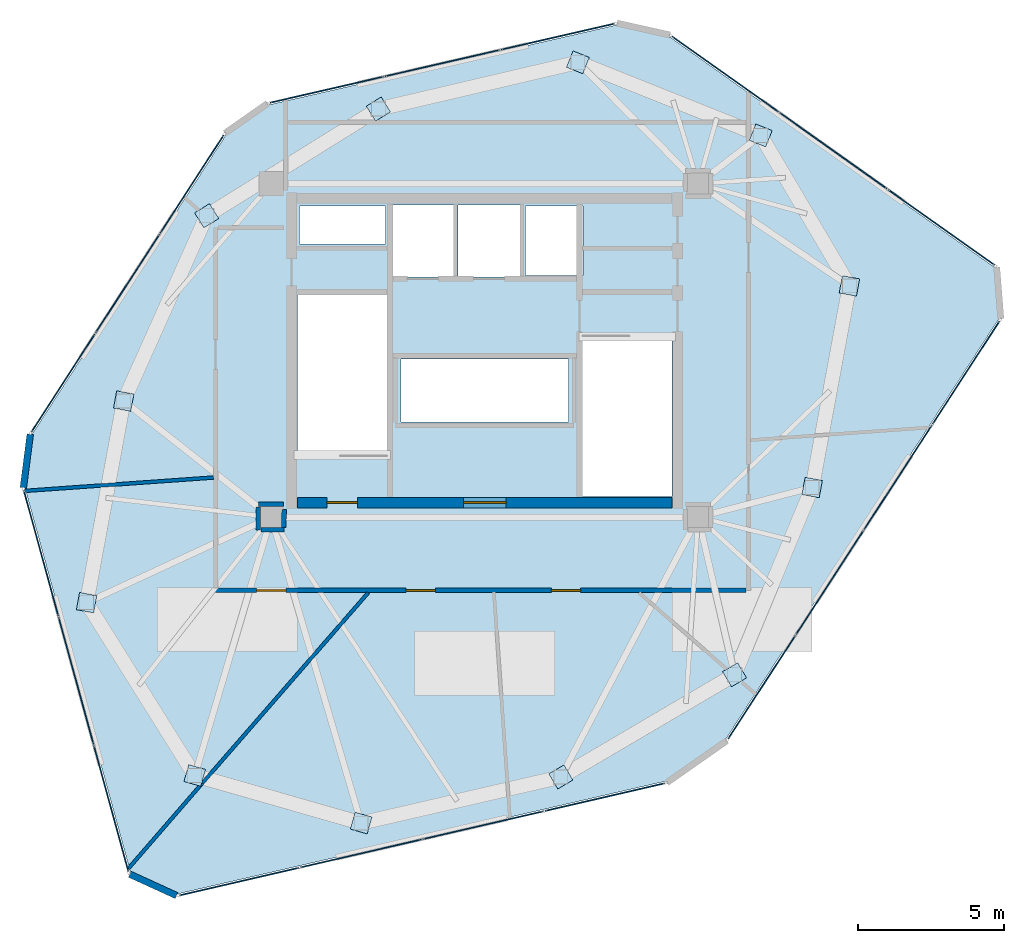
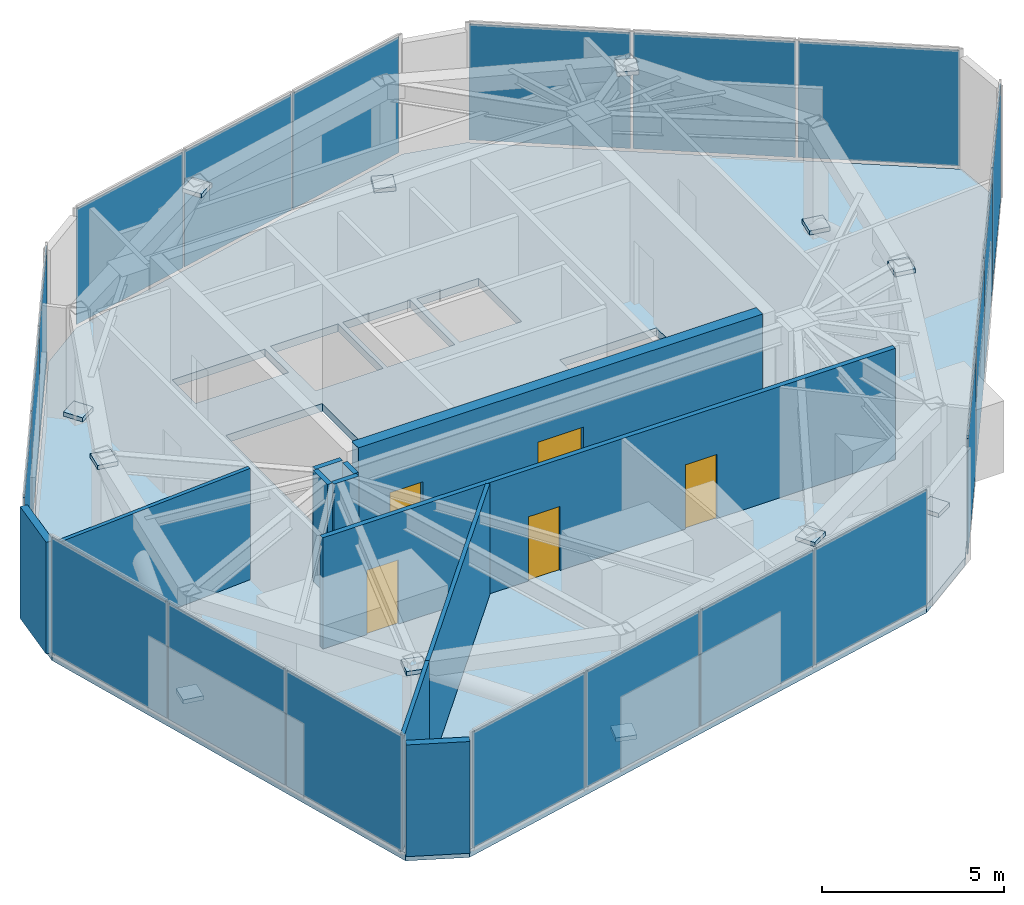
# One storey, part 17 of 20: 32 plates, 11 walls, 5 doors, 1 slab, 5 openings, 6 elements without a shape of their own.
"""IFC4 building model written with IfcOpenShell, lengths in metres."""

import ifcopenshell
import ifcopenshell.guid

model = None  # the IFC model being written
_history = None  # IfcOwnerHistory: only IFC2X3 demands one
_inside = {}  # id of a spatial element -> (the spatial element, [elements in it])
_under = {}  # id of a project, library or spatial element -> (it, [spatial elements below it])
_declared = {}  # id of a project -> (the project, [libraries it declares])
_typed = {}  # id of a type object -> (the type object, [elements of that type])
_made_of = {}  # id of a material, layer set ... -> (it, [elements and type objects made of it])


def new_model(schema):
    """Start an empty IFC model of exactly this schema.

    Asked for "IFC4X3", IfcOpenShell would pick the latest addendum, in which some entities
    have other attributes; the version numbers below select the first issue.
    IFC2X3 requires an IfcOwnerHistory on every rooted entity: one is made here for all.
    """
    global model, _history
    if schema == "IFC4X3":
        model = ifcopenshell.file(schema_version=(4, 3, 0, 0))
    else:
        model = ifcopenshell.file(schema=schema)
    _inside.clear()
    _under.clear()
    _declared.clear()
    _typed.clear()
    _made_of.clear()
    _history = None
    if model.schema == "IFC2X3":
        org = make("IfcOrganization", Name="unknown")
        user = make(
            "IfcPersonAndOrganization",
            ThePerson=make("IfcPerson", FamilyName="unknown"),
            TheOrganization=org,
        )
        app = make(
            "IfcApplication",
            ApplicationDeveloper=org,
            Version="unknown",
            ApplicationFullName="unknown",
            ApplicationIdentifier="unknown",
        )
        _history = make(
            "IfcOwnerHistory",
            OwningUser=user,
            OwningApplication=app,
            ChangeAction="ADDED",
            CreationDate=0,
        )
    return model


def make(cls, **values):
    """One entity of the class cls with the attributes given. An attribute that is None is left unset."""
    return model.create_entity(
        cls, **{name: value for name, value in values.items() if value is not None}
    )


def rooted(cls, **values):
    """An entity with a GlobalId (a new one), such as an element, a storey or a relation."""
    return make(cls, GlobalId=ifcopenshell.guid.new(), OwnerHistory=_history, **values)


def si_unit(unit_type, name, prefix=None):
    """IfcSIUnit, for example si_unit("LENGTHUNIT", "METRE", prefix="MILLI")."""
    return make("IfcSIUnit", UnitType=unit_type, Prefix=prefix, Name=name)


def assignment(units):
    """IfcUnitAssignment: the units of a project."""
    return None if units is None else make("IfcUnitAssignment", Units=units)


def point(xyz):
    """IfcCartesianPoint."""
    return None if xyz is None else make("IfcCartesianPoint", Coordinates=xyz)


def direction(xyz):
    """IfcDirection."""
    return None if xyz is None else make("IfcDirection", DirectionRatios=xyz)


def frame(location, z_axis=None, x_axis=None):
    """IfcAxis2Placement3D, a coordinate frame: its origin and axes. An axis left out is left unset."""
    return make(
        "IfcAxis2Placement3D",
        Location=point(location),
        Axis=direction(z_axis),
        RefDirection=direction(x_axis),
    )


def frame_2d(location, x_axis=None):
    """IfcAxis2Placement2D, a coordinate frame in the plane: its origin and x axis."""
    return make(
        "IfcAxis2Placement2D", Location=point(location), RefDirection=direction(x_axis)
    )


def origin():
    """The frame at (0, 0, 0) with its axes left unset."""
    return frame((0.0, 0.0, 0.0))


def origin_2d():
    """The frame at (0, 0) in the plane with its x axis left unset."""
    return frame_2d((0.0, 0.0))


def place(relative_to, where):
    """IfcLocalPlacement: puts the frame where relative to a parent placement (None: the world)."""
    return make(
        "IfcLocalPlacement", PlacementRelTo=relative_to, RelativePlacement=where
    )


def context(
    kind, dimensions, precision=None, world=None, true_north=None, identifier=None
):
    """IfcGeometricRepresentationContext, for example the 3D "Model" context."""
    return make(
        "IfcGeometricRepresentationContext",
        ContextIdentifier=identifier,
        ContextType=kind,
        CoordinateSpaceDimension=dimensions,
        Precision=precision,
        WorldCoordinateSystem=world,
        TrueNorth=true_north,
    )


def subcontext(parent, identifier, kind, view, scale=None):
    """IfcGeometricRepresentationSubContext, for example "Body" below "Model"."""
    return make(
        "IfcGeometricRepresentationSubContext",
        ContextIdentifier=identifier,
        ContextType=kind,
        ParentContext=parent,
        TargetScale=scale,
        TargetView=view,
    )


def project(units=None, contexts=None):
    """IfcProject with its units and contexts."""
    return rooted(
        "IfcProject",
        Name="project",
        RepresentationContexts=contexts,
        UnitsInContext=assignment(units),
    )


def spatial(cls, under=None, at=None, **own):
    """A site, building, storey or space (cls), placed at a placement, below another one or the project."""
    s = rooted(cls, ObjectPlacement=at, **own)
    if under is not None:
        _under.setdefault(under.id(), (under, []))[1].append(s)
    return s


def polyline(points):
    """IfcPolyline through the points."""
    return make("IfcPolyline", Points=[point(p) for p in points])


def profile(cls, at=None, kind="AREA", **sizes):
    """A parametric profile (cls). Its sizes go by their IFC names, for example OverallWidth=200.0."""
    return make(cls, ProfileType=kind, Position=at, **sizes)


def rectangle(**sizes):
    """IfcRectangleProfileDef."""
    return profile("IfcRectangleProfileDef", **sizes)


def outline(outer, holes=None, kind="AREA"):
    """IfcArbitraryClosedProfileDef: a profile drawn as a closed curve; with holes, ...WithVoids."""
    if holes is None:
        return make("IfcArbitraryClosedProfileDef", ProfileType=kind, OuterCurve=outer)
    return make(
        "IfcArbitraryProfileDefWithVoids",
        ProfileType=kind,
        OuterCurve=outer,
        InnerCurves=holes,
    )


def extrude(swept, where, along, depth):
    """IfcExtrudedAreaSolid: the profile swept, set in the frame where, extruded along a direction by depth."""
    return make(
        "IfcExtrudedAreaSolid",
        SweptArea=swept,
        Position=where,
        ExtrudedDirection=direction(along),
        Depth=depth,
    )


def shape(context_of_items, identifier, shape_type, items):
    """IfcShapeRepresentation: the items that make up one representation, for example the "Body"."""
    return make(
        "IfcShapeRepresentation",
        ContextOfItems=context_of_items,
        RepresentationIdentifier=identifier,
        RepresentationType=shape_type,
        Items=items,
    )


def source(mapping_origin, context_of_items, identifier, shape_type, items):
    """IfcRepresentationMap: a shape defined once, which mapped items show again and again."""
    return make(
        "IfcRepresentationMap",
        MappingOrigin=mapping_origin,
        MappedRepresentation=shape(context_of_items, identifier, shape_type, items),
    )


def transform(
    local_origin,
    x_axis=None,
    y_axis=None,
    z_axis=None,
    scale=None,
    scale2=None,
    scale3=None,
    uniform=True,
):
    """IfcCartesianTransformationOperator3D, or its non-uniform kind. x_axis, y_axis, z_axis: its Axis1, 2, 3."""
    if uniform:
        return make(
            "IfcCartesianTransformationOperator3D",
            Axis1=direction(x_axis),
            Axis2=direction(y_axis),
            LocalOrigin=point(local_origin),
            Scale=scale,
            Axis3=direction(z_axis),
        )
    return make(
        "IfcCartesianTransformationOperator3DnonUniform",
        Axis1=direction(x_axis),
        Axis2=direction(y_axis),
        LocalOrigin=point(local_origin),
        Scale=scale,
        Axis3=direction(z_axis),
        Scale2=scale2,
        Scale3=scale3,
    )


def mapped(mapping_source, mapping_target):
    """IfcMappedItem: shows the shape of a source again, moved by a transform."""
    return make(
        "IfcMappedItem", MappingSource=mapping_source, MappingTarget=mapping_target
    )


def material(Name=None, Category=None):
    """IfcMaterial."""
    return make("IfcMaterial", Name=Name, Category=Category)


def layer(
    of_material, thickness, ventilated=None, Name=None, Category=None, Priority=None
):
    """IfcMaterialLayer: one layer of a wall or slab, of a material (None: an air gap)."""
    return make(
        "IfcMaterialLayer",
        Material=of_material,
        LayerThickness=thickness,
        IsVentilated=ventilated,
        Name=Name,
        Category=Category,
        Priority=Priority,
    )


def layer_set(layers, Name=None):
    """IfcMaterialLayerSet."""
    return make("IfcMaterialLayerSet", MaterialLayers=layers, LayerSetName=Name)


def made_of(thing, what):
    """Note that an element or type object is made of a material, layer set ...; save() writes the relation."""
    if what is not None:
        _made_of.setdefault(what.id(), (what, []))[1].append(thing)
    return thing


def type_object(cls, material=None, **own):
    """A type object (cls), such as IfcWallType, which elements share."""
    return made_of(rooted(cls, **own), material)


def type_shapes(of_type, sources):
    """Give a type object the sources (RepresentationMaps) that its elements show as mapped items."""
    of_type.RepresentationMaps = sources


def element(
    cls,
    number,
    at=None,
    inside=None,
    cuts=None,
    type_object=None,
    material=None,
    context=None,
    identifier="Body",
    shape_type=None,
    held_by="IfcProductDefinitionShape",
    body=None,
    shapes=None,
    **own,
):
    """One element of the class cls, such as IfcWall. Its Tag is "e" and its number.

    at: its placement. inside: the storey or other place that contains it. cuts: it is an
    opening in that element (IfcRelVoidsElement). A single representation is given by context,
    identifier, shape_type and body (its items); several are given by shapes. held_by: the class
    of the entity that holds the representations. save() writes the other relations.
    """
    e = rooted(cls, Tag="e%d" % number, ObjectPlacement=at, **own)
    if body is not None:
        shapes = [shape(context, identifier, shape_type, body)]
    if shapes is not None:
        e.Representation = make(held_by, Representations=shapes)
    if inside is not None:
        _inside.setdefault(inside.id(), (inside, []))[1].append(e)
    if cuts is not None:
        rooted(
            "IfcRelVoidsElement", RelatingBuildingElement=cuts, RelatedOpeningElement=e
        )
    if type_object is not None:
        _typed.setdefault(type_object.id(), (type_object, []))[1].append(e)
    return made_of(e, material)


def fill(opening, filler):
    """IfcRelFillsElement: the door or window that sits in an opening."""
    return rooted(
        "IfcRelFillsElement",
        RelatingOpeningElement=opening,
        RelatedBuildingElement=filler,
    )


def aggregate(whole, parts):
    """IfcRelAggregates: a whole, such as a stair, and the parts it consists of."""
    return rooted("IfcRelAggregates", RelatingObject=whole, RelatedObjects=parts)


def save(model, path):
    """Write the relations noted so far, then the file.

    IfcRelAggregates (storeys below a building ...), IfcRelContainedInSpatialStructure (elements
    in a storey), IfcRelDefinesByType, IfcRelAssociatesMaterial and IfcRelDeclares: one each for
    every whole, place, type object, material and project.
    """
    for whole, parts in _under.values():
        aggregate(whole, parts)
    for where, things in _inside.values():
        rooted(
            "IfcRelContainedInSpatialStructure",
            RelatedElements=things,
            RelatingStructure=where,
        )
    for kind, things in _typed.values():
        rooted("IfcRelDefinesByType", RelatedObjects=things, RelatingType=kind)
    for what, things in _made_of.values():
        rooted("IfcRelAssociatesMaterial", RelatedObjects=things, RelatingMaterial=what)
    for by, libraries in _declared.values():
        rooted("IfcRelDeclares", RelatingContext=by, RelatedDefinitions=libraries)
    model.write(path)


model = new_model("IFC4")

# Units and contexts
model_context = context("Model", 3, precision=1e-05, world=origin(), true_north=direction((0.0, 1.0)))
body_context = subcontext(model_context, "Body", "Model", "MODEL_VIEW")
ifc_project = project(units=[si_unit("LENGTHUNIT", "METRE"), si_unit("AREAUNIT", "SQUARE_METRE"), si_unit("VOLUMEUNIT", "CUBIC_METRE"), si_unit("PLANEANGLEUNIT", "RADIAN"), si_unit("MASSUNIT", "GRAM", prefix="KILO")], contexts=[model_context])

# Site, building, storey
site_placement = place(None, origin())
site = spatial("IfcSite", under=ifc_project, at=site_placement, CompositionType="ELEMENT")
building_placement = place(site_placement, origin())
building = spatial("IfcBuilding", under=site, at=building_placement, Name="Talar Marvaseh", CompositionType="ELEMENT")
storey_placement = place(building_placement, frame((0.0, 0.0, 312.0)))
storey = spatial("IfcBuildingStorey", under=building, at=storey_placement, Name="L83", CompositionType="ELEMENT", Elevation=312.0)

# Slab
ifc_material_1 = material(Name="Concrete C40/50", Category="concrete")
ifc_layer_1 = layer(ifc_material_1, 0.260009765625)
ifc_layer_set_1 = layer_set([ifc_layer_1], Name="Concrete C40/50")
slab_type = type_object("IfcSlabType", Name="Structural Suspended Floor Slab 260", PredefinedType="FLOOR", material=ifc_layer_set_1)
slab_placement = place(storey_placement, frame((0.0, 0.0, -0.260009765625)))
element("IfcSlab", 1, at=slab_placement, inside=storey, type_object=slab_type, Name="L83 Tower Floor Slab", PredefinedType="FLOOR", context=body_context, shape_type="SweptSolid", body=[
    extrude(outline(polyline([(15.48974609375, 12.6123046875), (13.890869140625, 13.343505859375), (10.282470703125, 26.491943359375), (10.520751953125, 28.3330078125), (17.156494140625, 38.57763671875), (18.614990234375, 39.59912109375), (30.511474609375, 42.33056640625), (32.322998046875, 41.9248046875), (43.4443359375, 34.037109375), (43.584716796875, 32.28466796875), (34.244384765625, 17.906982421875), (32.194580078125, 16.4716796875), (15.48974609375, 12.6123046875)]), holes=[polyline([(22.659912109375, 27.64990234375), (22.659912109375, 33.10009765625), (19.60009765625, 33.10009765625), (19.60009765625, 27.64990234375), (22.659912109375, 27.64990234375)]), polyline([(29.340087890625, 31.64990234375), (29.340087890625, 26.199951171875), (32.39990234375, 26.199951171875), (32.39990234375, 31.64990234375), (29.340087890625, 31.64990234375)]), polyline([(22.800048828125, 33.719970703125), (24.93994140625, 33.719970703125), (24.93994140625, 36.179931640625), (22.800048828125, 36.179931640625), (22.800048828125, 33.719970703125)]), polyline([(25.080078125, 33.719970703125), (27.219970703125, 33.719970703125), (27.219970703125, 36.179931640625), (25.080078125, 36.179931640625), (25.080078125, 33.719970703125)]), polyline([(19.659912109375, 34.840087890625), (22.60009765625, 34.840087890625), (22.60009765625, 36.139892578125), (19.659912109375, 36.139892578125), (19.659912109375, 34.840087890625)]), polyline([(27.39990234375, 33.760009765625), (29.360107421875, 33.760009765625), (29.360107421875, 36.139892578125), (27.39990234375, 36.139892578125), (27.39990234375, 33.760009765625)]), polyline([(23.139892578125, 28.760009765625), (28.860107421875, 28.760009765625), (28.860107421875, 30.89990234375), (23.139892578125, 30.89990234375), (23.139892578125, 28.760009765625)])]), origin(), (0.0, 0.0, 1.0), 0.260009765625),
])

# Plates
ifc_material_2 = material(Name="Steel S460", Category="steel")
ifc_layer_2 = layer(ifc_material_2, 0.030029296875)
ifc_layer_set_2 = layer_set([ifc_layer_2], Name="Steel S460")
plate_type_1 = type_object("IfcPlateType", Name="Heavy Box End Closure Cap Plate 30", PredefinedType="USERDEFINED", material=ifc_layer_set_2)
shared_shape_1 = source(origin(), body_context, "Body", "SweptSolid", [
    extrude(rectangle(XDim=0.60009765625, YDim=0.60009765625, at=origin_2d()), origin(), (0.0, 0.0, 1.0), 0.139892578125),
])
type_shapes(plate_type_1, [shared_shape_1])
for number, where, z_axis, x_axis, name in (
    (2, (12.388916015625, 22.576904296875, 0.18017578125), (0.0, 0.0, 1.0), (0.180519145251, 0.983571470813, 0.0), "L83 Hollow Member End Cap Plate"),
    (3, (13.657958984375, 29.469970703125, 3.4052734375), (0.0, 0.0, 1.0), (0.180519145251, 0.983571470813, 0.0), "L83 Hollow Member End Cap Plate"),
    (4, (16.493896484375, 35.806884765625, 0.18017578125), (0.0, 0.0, 1.0), (0.849892692987, 0.526955795497, 0.0), "L83 Hollow Member End Cap Plate"),
    (5, (22.364990234375, 39.4541015625, 3.4052734375), (0.0, 0.0, 1.0), (0.849892692987, 0.526955795497, 0.0), "L83 Hollow Member End Cap Plate"),
    (6, (29.18798828125, 41.052001953125, 0.18017578125), (0.0, 0.0, 1.0), (0.928485826881, -0.37136783555, 0.0), "L83 Hollow Member End Cap Plate"),
    (7, (35.43798828125, 38.551025390625, 3.4052734375), (0.0, 0.0, 1.0), (0.928485826881, -0.37136783555, 0.0), "L83 Hollow Member End Cap Plate"),
    (8, (38.470947265625, 33.406005859375, 0.18017578125), (0.0, 0.0, 1.0), (-0.182235525492, -0.983254907564, 0.0), "L83 Hollow Member End Cap Plate"),
    (9, (37.197021484375, 26.513916015625, 3.4052734375), (0.0, 0.0, 1.0), (-0.182235525492, -0.983254907564, 0.0), "L83 Hollow Member End Cap Plate"),
    (10, (34.5439453125, 20.111083984375, 0.18017578125), (0.0, 0.0, 1.0), (-0.861629160442, -0.507538362961, 0.0), "L83 Hollow Member End Cap Plate"),
    (11, (28.60498046875, 16.616943359375, 3.4052734375), (0.0, 0.0, 1.0), (-0.861629160442, -0.507538362961, 0.0), "L83 Hollow Member End Cap Plate"),
    (12, (21.77587890625, 15.0400390625, 0.18017578125), (0.0, 0.0, 1.0), (-0.961261695938, 0.275637355817, 0.0), "L83 Hollow Member End Cap Plate"),
    (13, (16.0869140625, 16.66796875, 3.4052734375), (0.0, 0.0, 1.0), (-0.961261695938, 0.275637355817, 0.0), "L83 Hollow Member End Cap Plate"),
):
    element("IfcPlate", number, at=place(storey_placement, frame(where, z_axis=z_axis, x_axis=x_axis)), inside=storey, type_object=plate_type_1, Name=name, ObjectType="CAP_PLATE", PredefinedType="USERDEFINED", context=body_context, shape_type="MappedRepresentation", body=[
        mapped(shared_shape_1, transform((0.0, 0.0, 0.0), x_axis=(1.0, 0.0, 0.0), y_axis=(0.0, 1.0, 0.0), z_axis=(0.0, 0.0, 1.0), scale=1.0)),
    ])

# Curtain wall, plate
ifc_material_3 = material(Name="Architectural Aluminium", Category="aluminium")
ifc_layer_3 = layer(ifc_material_3, 0.2099609375)
ifc_layer_set_3 = layer_set([ifc_layer_3], Name="Architectural Aluminium")
curtain_wall_type = type_object("IfcCurtainWallType", Name="Crown Plant Acoustic Spandrel Curtain Wall", PredefinedType="NOTDEFINED", material=ifc_layer_set_3)
curtain_wall_1_placement = place(storey_placement, origin())
curtain_wall_1 = element("IfcCurtainWall", 14, at=curtain_wall_1_placement, inside=storey, type_object=curtain_wall_type, Name="L83 Crown Plant Acoustic Spandrel Curtain Wall", PredefinedType="NOTDEFINED")
ifc_material_4 = material(Name="Spandrel Insulated Glass", Category="glass")
ifc_layer_4 = layer(ifc_material_4, 0.035888671875)
ifc_layer_set_4 = layer_set([ifc_layer_4], Name="Spandrel Insulated Glass")
plate_type_2 = type_object("IfcPlateType", Name="Insulated Back-Painted Spandrel Curtain Panel 36", PredefinedType="CURTAIN_PANEL", material=ifc_layer_set_4)
shared_shape_2 = source(origin(), body_context, "Body", "SweptSolid", [
    extrude(rectangle(XDim=4.47998046875, YDim=0.035888671875, at=origin_2d()), origin(), (0.0, 0.0, 1.0), 3.8701171875),
])
plate_1_placement = place(storey_placement, frame((12.02880859375, 19.90185546875, 0.06494140625), z_axis=(0.0, 0.0, 1.0), x_axis=(-0.264649312974, 0.964344721115, 0.0)))
plate_1 = element("IfcPlate", 15, at=plate_1_placement, type_object=plate_type_2, Name="CW-CRN panel 2.1", PredefinedType="CURTAIN_PANEL", context=body_context, shape_type="MappedRepresentation", body=[
    mapped(shared_shape_2, transform((0.0, 0.0, 0.0), x_axis=(1.0, 0.0, 0.0), y_axis=(0.0, 1.0, 0.0), z_axis=(0.0, 0.0, 1.0), scale=1.0)),
])

curtain_wall_2_placement = place(storey_placement, origin())
curtain_wall_2 = element("IfcCurtainWall", 16, at=curtain_wall_2_placement, inside=storey, type_object=curtain_wall_type, Name="L83 Crown Plant Acoustic Spandrel Curtain Wall", PredefinedType="NOTDEFINED")
plate_2_placement = place(storey_placement, frame((37.91845703125, 38.02978515625, 0.06494140625), z_axis=(0.0, 0.0, 1.0), x_axis=(0.815673489833, -0.578512539176, 0.0)))
plate_2 = element("IfcPlate", 17, at=plate_2_placement, type_object=plate_type_2, Name="CW-CRN panel 2.1", PredefinedType="CURTAIN_PANEL", context=body_context, shape_type="MappedRepresentation", body=[
    mapped(shared_shape_2, transform((0.0, 0.0, 0.0), x_axis=(1.0, 0.0, 0.0), y_axis=(0.0, 1.0, 0.0), z_axis=(0.0, 0.0, 1.0), scale=1.0)),
])

# Curtain wall, plates
curtain_wall_3_placement = place(storey_placement, origin())
curtain_wall_3 = element("IfcCurtainWall", 18, at=curtain_wall_3_placement, inside=storey, type_object=curtain_wall_type, Name="L83 Crown Plant Acoustic Spandrel Curtain Wall", PredefinedType="NOTDEFINED")
shared_shape_3 = source(origin(), body_context, "Body", "SweptSolid", [
    extrude(rectangle(XDim=3.97119140625, YDim=0.035888671875, at=origin_2d()), origin(), (0.0, 0.0, 1.0), 3.8701171875),
])
plate_3_placement = place(storey_placement, frame((11.585205078125, 30.086669921875, 0.06494140625), z_axis=(0.0, 0.0, 1.0), x_axis=(0.543646288387, 0.839314430427, 0.0)))
plate_3 = element("IfcPlate", 19, at=plate_3_placement, type_object=plate_type_2, Name="CW-CRN panel 1.1", PredefinedType="CURTAIN_PANEL", context=body_context, shape_type="MappedRepresentation", body=[
    mapped(shared_shape_3, transform((0.0, 0.0, 0.0), x_axis=(1.0, 0.0, 0.0), y_axis=(0.0, 1.0, 0.0), z_axis=(0.0, 0.0, 1.0), scale=1.0)),
])
plate_4_placement = place(storey_placement, frame((15.9912109375, 36.88916015625, 0.06494140625), z_axis=(0.0, 0.0, 1.0), x_axis=(0.543646288387, 0.839314430427, 0.0)))
plate_4 = element("IfcPlate", 20, at=plate_4_placement, type_object=plate_type_2, Name="CW-CRN panel 3.1", PredefinedType="CURTAIN_PANEL", context=body_context, shape_type="MappedRepresentation", body=[
    mapped(shared_shape_3, transform((0.0, 0.0, 0.0), x_axis=(1.0, 0.0, 0.0), y_axis=(0.0, 1.0, 0.0), z_axis=(0.0, 0.0, 1.0), scale=1.0)),
])

curtain_wall_4_placement = place(storey_placement, origin())
curtain_wall_4 = element("IfcCurtainWall", 21, at=curtain_wall_4_placement, inside=storey, type_object=curtain_wall_type, Name="L83 Crown Plant Acoustic Spandrel Curtain Wall", PredefinedType="NOTDEFINED")
plate_5_placement = place(storey_placement, frame((20.60009765625, 40.116455078125, 0.06494140625), z_axis=(0.0, 0.0, 1.0), x_axis=(0.974636944465, 0.223791926761, 0.0)))
plate_5 = element("IfcPlate", 22, at=plate_5_placement, type_object=plate_type_2, Name="CW-CRN panel 1.1", PredefinedType="CURTAIN_PANEL", context=body_context, shape_type="MappedRepresentation", body=[
    mapped(shared_shape_3, transform((0.0, 0.0, 0.0), x_axis=(1.0, 0.0, 0.0), y_axis=(0.0, 1.0, 0.0), z_axis=(0.0, 0.0, 1.0), scale=1.0)),
])
plate_6_placement = place(storey_placement, frame((28.49951171875, 41.93017578125, 0.06494140625), z_axis=(0.0, 0.0, 1.0), x_axis=(0.974636944465, 0.223791926761, 0.0)))
plate_6 = element("IfcPlate", 23, at=plate_6_placement, type_object=plate_type_2, Name="CW-CRN panel 3.1", PredefinedType="CURTAIN_PANEL", context=body_context, shape_type="MappedRepresentation", body=[
    mapped(shared_shape_3, transform((0.0, 0.0, 0.0), x_axis=(1.0, 0.0, 0.0), y_axis=(0.0, 1.0, 0.0), z_axis=(0.0, 0.0, 1.0), scale=1.0)),
])

# Plate
shared_shape_4 = source(origin(), body_context, "Body", "SweptSolid", [
    extrude(rectangle(XDim=4.003662109375, YDim=0.035888671875, at=origin_2d()), origin(), (0.0, 0.0, 1.0), 3.8701171875),
])
plate_7_placement = place(storey_placement, frame((13.788330078125, 33.488037109375, 0.06494140625), z_axis=(0.0, 0.0, 1.0), x_axis=(0.543646288387, 0.839314430427, 0.0)))
plate_7 = element("IfcPlate", 24, at=plate_7_placement, type_object=plate_type_2, Name="CW-CRN panel 2.1", PredefinedType="CURTAIN_PANEL", context=body_context, shape_type="MappedRepresentation", body=[
    mapped(shared_shape_4, transform((0.0, 0.0, 0.0), x_axis=(1.0, 0.0, 0.0), y_axis=(0.0, 1.0, 0.0), z_axis=(0.0, 0.0, 1.0), scale=1.0)),
])

aggregate(curtain_wall_3, [plate_3, plate_7, plate_4])

plate_8_placement = place(storey_placement, frame((24.5498046875, 41.023193359375, 0.06494140625), z_axis=(0.0, 0.0, 1.0), x_axis=(0.974636944465, 0.223791926761, 0.0)))
plate_8 = element("IfcPlate", 25, at=plate_8_placement, type_object=plate_type_2, Name="CW-CRN panel 2.1", PredefinedType="CURTAIN_PANEL", context=body_context, shape_type="MappedRepresentation", body=[
    mapped(shared_shape_4, transform((0.0, 0.0, 0.0), x_axis=(1.0, 0.0, 0.0), y_axis=(0.0, 1.0, 0.0), z_axis=(0.0, 0.0, 1.0), scale=1.0)),
])

aggregate(curtain_wall_4, [plate_5, plate_8, plate_6])

# Curtain wall, plates
curtain_wall_5_placement = place(storey_placement, origin())
curtain_wall_5 = element("IfcCurtainWall", 26, at=curtain_wall_5_placement, inside=storey, type_object=curtain_wall_type, Name="L83 Crown Plant Acoustic Spandrel Curtain Wall", PredefinedType="NOTDEFINED")
shared_shape_5 = source(origin(), body_context, "Body", "SweptSolid", [
    extrude(rectangle(XDim=4.188720703125, YDim=0.035888671875, at=origin_2d()), origin(), (0.0, 0.0, 1.0), 3.8701171875),
])
plate_9_placement = place(storey_placement, frame((42.45849609375, 30.441162109375, 0.06494140625), z_axis=(0.0, 0.0, 1.0), x_axis=(-0.544769379387, -0.838585906919, 0.0)))
plate_9 = element("IfcPlate", 27, at=plate_9_placement, type_object=plate_type_2, Name="CW-CRN panel 1.1", PredefinedType="CURTAIN_PANEL", context=body_context, shape_type="MappedRepresentation", body=[
    mapped(shared_shape_5, transform((0.0, 0.0, 0.0), x_axis=(1.0, 0.0, 0.0), y_axis=(0.0, 1.0, 0.0), z_axis=(0.0, 0.0, 1.0), scale=1.0)),
])
plate_10_placement = place(storey_placement, frame((35.47119140625, 19.68505859375, 0.06494140625), z_axis=(0.0, 0.0, 1.0), x_axis=(-0.544769379387, -0.838585906919, 0.0)))
plate_10 = element("IfcPlate", 28, at=plate_10_placement, type_object=plate_type_2, Name="CW-CRN panel 4.1", PredefinedType="CURTAIN_PANEL", context=body_context, shape_type="MappedRepresentation", body=[
    mapped(shared_shape_5, transform((0.0, 0.0, 0.0), x_axis=(1.0, 0.0, 0.0), y_axis=(0.0, 1.0, 0.0), z_axis=(0.0, 0.0, 1.0), scale=1.0)),
])

curtain_wall_6_placement = place(storey_placement, origin())
curtain_wall_6 = element("IfcCurtainWall", 29, at=curtain_wall_6_placement, inside=storey, type_object=curtain_wall_type, Name="L83 Crown Plant Acoustic Spandrel Curtain Wall", PredefinedType="NOTDEFINED")
plate_11_placement = place(storey_placement, frame((30.104248046875, 15.927001953125, 0.06494140625), z_axis=(0.0, 0.0, 1.0), x_axis=(-0.974334936397, -0.225103157943, 0.0)))
plate_11 = element("IfcPlate", 30, at=plate_11_placement, type_object=plate_type_2, Name="CW-CRN panel 1.1", PredefinedType="CURTAIN_PANEL", context=body_context, shape_type="MappedRepresentation", body=[
    mapped(shared_shape_5, transform((0.0, 0.0, 0.0), x_axis=(1.0, 0.0, 0.0), y_axis=(0.0, 1.0, 0.0), z_axis=(0.0, 0.0, 1.0), scale=1.0)),
])
plate_12_placement = place(storey_placement, frame((17.607177734375, 13.039794921875, 0.06494140625), z_axis=(0.0, 0.0, 1.0), x_axis=(-0.974334936397, -0.225103157943, 0.0)))
plate_12 = element("IfcPlate", 31, at=plate_12_placement, type_object=plate_type_2, Name="CW-CRN panel 4.1", PredefinedType="CURTAIN_PANEL", context=body_context, shape_type="MappedRepresentation", body=[
    mapped(shared_shape_5, transform((0.0, 0.0, 0.0), x_axis=(1.0, 0.0, 0.0), y_axis=(0.0, 1.0, 0.0), z_axis=(0.0, 0.0, 1.0), scale=1.0)),
])

# Plate
shared_shape_6 = source(origin(), body_context, "Body", "SweptSolid", [
    extrude(rectangle(XDim=4.22119140625, YDim=0.035888671875, at=origin_2d()), origin(), (0.0, 0.0, 1.0), 3.8701171875),
])
plate_13_placement = place(storey_placement, frame((40.13232421875, 26.8603515625, 0.06494140625), z_axis=(0.0, 0.0, 1.0), x_axis=(-0.544769379387, -0.838585906919, 0.0)))
plate_13 = element("IfcPlate", 32, at=plate_13_placement, type_object=plate_type_2, Name="CW-CRN panel 2.1", PredefinedType="CURTAIN_PANEL", context=body_context, shape_type="MappedRepresentation", body=[
    mapped(shared_shape_6, transform((0.0, 0.0, 0.0), x_axis=(1.0, 0.0, 0.0), y_axis=(0.0, 1.0, 0.0), z_axis=(0.0, 0.0, 1.0), scale=1.0)),
])

plate_14_placement = place(storey_placement, frame((37.79736328125, 23.265869140625, 0.06494140625), z_axis=(0.0, 0.0, 1.0), x_axis=(-0.544769379387, -0.838585906919, 0.0)))
plate_14 = element("IfcPlate", 33, at=plate_14_placement, type_object=plate_type_2, Name="CW-CRN panel 3.1", PredefinedType="CURTAIN_PANEL", context=body_context, shape_type="MappedRepresentation", body=[
    mapped(shared_shape_6, transform((0.0, 0.0, 0.0), x_axis=(1.0, 0.0, 0.0), y_axis=(0.0, 1.0, 0.0), z_axis=(0.0, 0.0, 1.0), scale=1.0)),
])

aggregate(curtain_wall_5, [plate_9, plate_13, plate_14, plate_10])

plate_15_placement = place(storey_placement, frame((25.94384765625, 14.9658203125, 0.06494140625), z_axis=(0.0, 0.0, 1.0), x_axis=(-0.974334936397, -0.225103157943, 0.0)))
plate_15 = element("IfcPlate", 34, at=plate_15_placement, type_object=plate_type_2, Name="CW-CRN panel 2.1", PredefinedType="CURTAIN_PANEL", context=body_context, shape_type="MappedRepresentation", body=[
    mapped(shared_shape_6, transform((0.0, 0.0, 0.0), x_axis=(1.0, 0.0, 0.0), y_axis=(0.0, 1.0, 0.0), z_axis=(0.0, 0.0, 1.0), scale=1.0)),
])

plate_16_placement = place(storey_placement, frame((21.767578125, 14.0009765625, 0.06494140625), z_axis=(0.0, 0.0, 1.0), x_axis=(-0.974334936397, -0.225103157943, 0.0)))
plate_16 = element("IfcPlate", 35, at=plate_16_placement, type_object=plate_type_2, Name="CW-CRN panel 3.1", PredefinedType="CURTAIN_PANEL", context=body_context, shape_type="MappedRepresentation", body=[
    mapped(shared_shape_6, transform((0.0, 0.0, 0.0), x_axis=(1.0, 0.0, 0.0), y_axis=(0.0, 1.0, 0.0), z_axis=(0.0, 0.0, 1.0), scale=1.0)),
])

aggregate(curtain_wall_6, [plate_11, plate_15, plate_16, plate_12])

shared_shape_7 = source(origin(), body_context, "Body", "SweptSolid", [
    extrude(rectangle(XDim=4.447265625, YDim=0.035888671875, at=origin_2d()), origin(), (0.0, 0.0, 1.0), 3.8701171875),
])
type_shapes(plate_type_2, [shared_shape_2, shared_shape_3, shared_shape_4, shared_shape_5, shared_shape_6, shared_shape_7])
plate_17_placement = place(storey_placement, frame((13.227294921875, 15.53466796875, 0.06494140625), z_axis=(0.0, 0.0, 1.0), x_axis=(-0.264649312974, 0.964344721115, 0.0)))
plate_17 = element("IfcPlate", 36, at=plate_17_placement, type_object=plate_type_2, Name="CW-CRN panel 1.1", PredefinedType="CURTAIN_PANEL", context=body_context, shape_type="MappedRepresentation", body=[
    mapped(shared_shape_7, transform((0.0, 0.0, 0.0), x_axis=(1.0, 0.0, 0.0), y_axis=(0.0, 1.0, 0.0), z_axis=(0.0, 0.0, 1.0), scale=1.0)),
])

plate_18_placement = place(storey_placement, frame((10.830322265625, 24.268798828125, 0.06494140625), z_axis=(0.0, 0.0, 1.0), x_axis=(-0.264649312974, 0.964344721115, 0.0)))
plate_18 = element("IfcPlate", 37, at=plate_18_placement, type_object=plate_type_2, Name="CW-CRN panel 3.1", PredefinedType="CURTAIN_PANEL", context=body_context, shape_type="MappedRepresentation", body=[
    mapped(shared_shape_7, transform((0.0, 0.0, 0.0), x_axis=(1.0, 0.0, 0.0), y_axis=(0.0, 1.0, 0.0), z_axis=(0.0, 0.0, 1.0), scale=1.0)),
])

aggregate(curtain_wall_1, [plate_17, plate_1, plate_18])

plate_19_placement = place(storey_placement, frame((34.224609375, 40.649658203125, 0.06494140625), z_axis=(0.0, 0.0, 1.0), x_axis=(0.815673489833, -0.578512539176, 0.0)))
plate_19 = element("IfcPlate", 38, at=plate_19_placement, type_object=plate_type_2, Name="CW-CRN panel 1.1", PredefinedType="CURTAIN_PANEL", context=body_context, shape_type="MappedRepresentation", body=[
    mapped(shared_shape_7, transform((0.0, 0.0, 0.0), x_axis=(1.0, 0.0, 0.0), y_axis=(0.0, 1.0, 0.0), z_axis=(0.0, 0.0, 1.0), scale=1.0)),
])

plate_20_placement = place(storey_placement, frame((41.6123046875, 35.409912109375, 0.06494140625), z_axis=(0.0, 0.0, 1.0), x_axis=(0.815673489833, -0.578512539176, 0.0)))
plate_20 = element("IfcPlate", 39, at=plate_20_placement, type_object=plate_type_2, Name="CW-CRN panel 3.1", PredefinedType="CURTAIN_PANEL", context=body_context, shape_type="MappedRepresentation", body=[
    mapped(shared_shape_7, transform((0.0, 0.0, 0.0), x_axis=(1.0, 0.0, 0.0), y_axis=(0.0, 1.0, 0.0), z_axis=(0.0, 0.0, 1.0), scale=1.0)),
])

aggregate(curtain_wall_2, [plate_19, plate_2, plate_20])

# Walls
ifc_material_5 = material(Name="Precast concrete C45/55", Category="concrete")
ifc_layer_5 = layer(ifc_material_5, 0.22509765625)
ifc_layer_set_5 = layer_set([ifc_layer_5], Name="Precast concrete C45/55")
wall_type_1 = type_object("IfcWallType", Name="Chamfered Hexagonal Corner Pier Wall Z4 225", PredefinedType="SOLIDWALL", material=ifc_layer_set_5)
wall_1_placement = place(storey_placement, frame((15.464599609375, 12.5576171875, 0.0), z_axis=(0.0, 0.0, 1.0), x_axis=(-0.909388933768, 0.415946832107, 0.0)))
element("IfcWall", 40, at=wall_1_placement, inside=storey, type_object=wall_type_1, Name="L83 Chamfered Corner Limestone Pier 1", PredefinedType="SOLIDWALL", context=body_context, shape_type="SweptSolid", body=[
    extrude(rectangle(XDim=1.7578125, YDim=0.22509765625, at=frame_2d((0.87890625, 0.0))), origin(), (0.0, 0.0, 1.0), 3.739990234375),
])
wall_2_placement = place(storey_placement, frame((10.222900390625, 26.49951171875, 0.0), z_axis=(0.0, 0.0, 1.0), x_axis=(0.128338490171, 0.991730423019, 0.0)))
element("IfcWall", 41, at=wall_2_placement, inside=storey, type_object=wall_type_1, Name="L83 Chamfered Corner Limestone Pier 2", PredefinedType="SOLIDWALL", context=body_context, shape_type="SweptSolid", body=[
    extrude(rectangle(XDim=1.856689453125, YDim=0.22509765625, at=frame_2d((0.92822265625, 0.0))), origin(), (0.0, 0.0, 1.0), 3.739990234375),
])

# Wall, openings, doors
ifc_material_6 = material(Name="Gypsum Board Partition Assembly")
ifc_layer_6 = layer(ifc_material_6, 0.155029296875)
ifc_layer_set_6 = layer_set([ifc_layer_6], Name="Gypsum Board Partition Assembly")
wall_type_2 = type_object("IfcWallType", Name="Corridor Fire-Rated Acoustic Partition 155", PredefinedType="PARTITIONING", material=ifc_layer_set_6)
wall_3_placement = place(storey_placement, frame((34.9365234375, 23.0, 0.0), z_axis=(0.0, 0.0, 1.0), x_axis=(-1.0, 0.0, 0.0)))
wall_3 = element("IfcWall", 42, at=wall_3_placement, inside=storey, type_object=wall_type_2, Name="L83 Interior Partition Wall", PredefinedType="PARTITIONING", context=body_context, shape_type="SweptSolid", body=[
    extrude(rectangle(XDim=18.136474609375, YDim=0.155029296875, at=frame_2d((9.068359375, 0.0))), origin(), (0.0, 0.0, 1.0), 3.72509765625),
])
opening_1_placement = place(wall_3_placement, frame((15.73681640625, 0.0, 0.0)))
opening_1 = element("IfcOpeningElement", 43, at=opening_1_placement, cuts=wall_3, Name="Opening DR-RM100", PredefinedType="OPENING", context=body_context, shape_type="SweptSolid", body=[
    extrude(rectangle(XDim=1.0, YDim=2.14990234375, at=frame_2d((0.5, 1.074951171875))), frame((0.0, 0.08740234375, 0.0), z_axis=(0.0, -1.0, 0.0), x_axis=(1.0, 0.0, 0.0)), (0.0, 0.0, 1.0), 0.175048828125),
])
opening_2_placement = place(wall_3_placement, frame((10.621826171875, 0.0, 0.0)))
opening_2 = element("IfcOpeningElement", 44, at=opening_2_placement, cuts=wall_3, Name="Opening DR-RM100", PredefinedType="OPENING", context=body_context, shape_type="SweptSolid", body=[
    extrude(rectangle(XDim=1.0, YDim=2.14990234375, at=frame_2d((0.5, 1.074951171875))), frame((0.0, 0.08740234375, 0.0), z_axis=(0.0, -1.0, 0.0), x_axis=(1.0, 0.0, 0.0)), (0.0, 0.0, 1.0), 0.175048828125),
])
opening_3_placement = place(wall_3_placement, frame((5.654052734375, 0.0, 0.0)))
opening_3 = element("IfcOpeningElement", 45, at=opening_3_placement, cuts=wall_3, Name="Opening DR-RM100", PredefinedType="OPENING", context=body_context, shape_type="SweptSolid", body=[
    extrude(rectangle(XDim=1.0, YDim=2.14990234375, at=frame_2d((0.5, 1.074951171875))), frame((0.0, 0.08740234375, 0.0), z_axis=(0.0, -1.0, 0.0), x_axis=(1.0, 0.0, 0.0)), (0.0, 0.0, 1.0), 0.175048828125),
])
ifc_material_7 = material(Name="Acoustic Engineered Oak Timber", Category="wood")
door_type_1 = type_object("IfcDoorType", Name="Corridor Fire-Rated Gallery Door 1000x2150", OperationType="NOTDEFINED", PredefinedType="DOOR", material=ifc_material_7)
shared_shape_8 = source(origin(), body_context, "Body", "SweptSolid", [
    extrude(rectangle(XDim=1.0, YDim=2.14990234375, at=frame_2d((0.5, 1.074951171875))), frame((0.0, 0.02490234375, 0.0), z_axis=(0.0, -1.0, 0.0), x_axis=(1.0, 0.0, 0.0)), (0.0, 0.0, 1.0), 0.050048828125),
])
type_shapes(door_type_1, [shared_shape_8])
door_1_placement = place(opening_1_placement, origin())
door_1 = element("IfcDoor", 46, at=door_1_placement, inside=storey, type_object=door_type_1, Name="L83 Chiller and Cooling Plant Room Door", OperationType="SINGLE_SWING_RIGHT", OverallHeight=2.14990234375, OverallWidth=1.0, PredefinedType="DOOR", context=body_context, shape_type="MappedRepresentation", body=[
    mapped(shared_shape_8, transform((0.0, 0.0, 0.0), x_axis=(1.0, 0.0, 0.0), y_axis=(0.0, 1.0, 0.0), z_axis=(0.0, 0.0, 1.0), scale=1.0)),
])
fill(opening_1, door_1)
door_2_placement = place(opening_2_placement, origin())
door_2 = element("IfcDoor", 47, at=door_2_placement, inside=storey, type_object=door_type_1, Name="L83 AHU Ventilation Plant Room Door", OperationType="SINGLE_SWING_LEFT", OverallHeight=2.14990234375, OverallWidth=1.0, PredefinedType="DOOR", context=body_context, shape_type="MappedRepresentation", body=[
    mapped(shared_shape_8, transform((0.0, 0.0, 0.0), x_axis=(1.0, 0.0, 0.0), y_axis=(0.0, 1.0, 0.0), z_axis=(0.0, 0.0, 1.0), scale=1.0)),
])
fill(opening_2, door_2)
door_3_placement = place(opening_3_placement, origin())
door_3 = element("IfcDoor", 48, at=door_3_placement, inside=storey, type_object=door_type_1, Name="L83 Fire and Domestic Water Pump Plant Room Door", OperationType="SINGLE_SWING_RIGHT", OverallHeight=2.14990234375, OverallWidth=1.0, PredefinedType="DOOR", context=body_context, shape_type="MappedRepresentation", body=[
    mapped(shared_shape_8, transform((0.0, 0.0, 0.0), x_axis=(1.0, 0.0, 0.0), y_axis=(0.0, 1.0, 0.0), z_axis=(0.0, 0.0, 1.0), scale=1.0)),
])
fill(opening_3, door_3)

# Walls
wall_4_placement = place(storey_placement, frame((19.125, 25.93994140625, 0.0), z_axis=(0.0, 0.0, 1.0), x_axis=(-0.999986962681, -0.005106316405, 0.0)))
element("IfcWall", 49, at=wall_4_placement, inside=storey, type_object=wall_type_2, Name="L83 Interior Partition Wall", PredefinedType="PARTITIONING", context=body_context, shape_type="SweptSolid", body=[
    extrude(rectangle(XDim=0.860595703125, YDim=0.155029296875, at=frame_2d((0.43017578125, 0.0))), origin(), (0.0, 0.0, 1.0), 3.72509765625),
])
for number, where, z_axis, x_axis, name in (
    (50, (18.264404296875, 25.85205078125, 0.0), (0.0, 0.0, 1.0), (0.0, -1.0, 0.0), "L83 Interior Partition Wall"),
    (51, (18.347900390625, 25.064453125, 0.0), (0.0, 0.0, 1.0), (1.0, 0.0, 0.0), "L83 Interior Partition Wall"),
):
    element("IfcWall", number, at=place(storey_placement, frame(where, z_axis=z_axis, x_axis=x_axis)), inside=storey, type_object=wall_type_2, Name=name, PredefinedType="PARTITIONING", context=body_context, shape_type="SweptSolid", body=[
        extrude(rectangle(XDim=0.78759765625, YDim=0.155029296875, at=frame_2d((0.393798828125, 0.0))), origin(), (0.0, 0.0, 1.0), 3.72509765625),
    ])
wall_5_placement = place(storey_placement, frame((19.135986328125, 25.14794921875, 0.0), z_axis=(0.0, 0.0, 1.0), x_axis=(0.005140303777, 0.999986788551, 0.0)))
element("IfcWall", 52, at=wall_5_placement, inside=storey, type_object=wall_type_2, Name="L83 Interior Partition Wall", PredefinedType="PARTITIONING", context=body_context, shape_type="SweptSolid", body=[
    extrude(rectangle(XDim=0.617431640625, YDim=0.155029296875, at=frame_2d((0.30859375, 0.0))), origin(), (0.0, 0.0, 1.0), 3.72509765625),
])
ifc_layer_7 = layer(ifc_material_6, 0.1201171875)
ifc_layer_set_7 = layer_set([ifc_layer_7], Name="Gypsum Board Partition Assembly")
wall_type_3 = type_object("IfcWallType", Name="Demountable Studio Room Partition 120", PredefinedType="PARTITIONING", material=ifc_layer_set_7)
wall_6_placement = place(storey_placement, frame((22.017333984375, 22.91650390625, 0.0), z_axis=(0.0, 0.0, 1.0), x_axis=(-0.656794238876, -0.754069842773, 0.0)))
element("IfcWall", 53, at=wall_6_placement, inside=storey, type_object=wall_type_3, Name="L83 Interior Partition Wall", PredefinedType="PARTITIONING", context=body_context, shape_type="SweptSolid", body=[
    extrude(rectangle(XDim=8.628662109375, YDim=0.1201171875, at=frame_2d((4.314453125, 0.0))), origin(), (0.0, 0.0, 1.0), 3.72509765625),
])
wall_7_placement = place(storey_placement, frame((16.35009765625, 16.409912109375, 0.0), z_axis=(0.0, 0.0, 1.0), x_axis=(-0.654839389102, -0.755768069239, 0.0)))
element("IfcWall", 54, at=wall_7_placement, inside=storey, type_object=wall_type_3, Name="L83 Interior Partition Wall", PredefinedType="PARTITIONING", context=body_context, shape_type="SweptSolid", body=[
    extrude(rectangle(XDim=3.875244140625, YDim=0.1201171875, at=frame_2d((1.9375, 0.0))), origin(), (0.0, 0.0, 1.0), 3.72509765625),
])
wall_8_placement = place(storey_placement, frame((10.271484375, 26.3974609375, 0.0), z_axis=(0.0, 0.0, 1.0), x_axis=(0.997498894398, 0.070682074632, 0.0)))
element("IfcWall", 55, at=wall_8_placement, inside=storey, type_object=wall_type_3, Name="L83 Interior Partition Wall", PredefinedType="PARTITIONING", context=body_context, shape_type="SweptSolid", body=[
    extrude(rectangle(XDim=6.479736328125, YDim=0.1201171875, at=frame_2d((3.23974609375, 0.0))), origin(), (0.0, 0.0, 1.0), 3.72509765625),
])

# Wall, openings, doors
ifc_material_8 = material(Name="Concrete C50/60", Category="concrete")
ifc_layer_8 = layer(ifc_material_8, 0.360107421875)
ifc_layer_set_8 = layer_set([ifc_layer_8], Name="Concrete C50/60")
wall_type_4 = type_object("IfcWallType", Name="Upper Core Reinforced Concrete Shear Wall 360", PredefinedType="SHEAR", material=ifc_layer_set_8)
wall_9_placement = place(storey_placement, frame((32.39990234375, 26.0, 0.0), z_axis=(0.0, 0.0, 1.0), x_axis=(-1.0, 0.0, 0.0)))
wall_9 = element("IfcWall", 56, at=wall_9_placement, inside=storey, type_object=wall_type_4, Name="L83 South Core Shear Wall", PredefinedType="SHEAR", context=body_context, shape_type="SweptSolid", body=[
    extrude(rectangle(XDim=12.7998046875, YDim=0.360107421875, at=frame_2d((6.39990234375, 0.0))), origin(), (0.0, 0.0, 1.0), 4.0),
])
opening_4_placement = place(wall_9_placement, frame((10.75, 0.0, 0.0)))
opening_4 = element("IfcOpeningElement", 57, at=opening_4_placement, cuts=wall_9, Name="Opening DR-ST105", PredefinedType="OPENING", context=body_context, shape_type="SweptSolid", body=[
    extrude(rectangle(XDim=1.050048828125, YDim=2.14990234375, at=frame_2d((0.52490234375, 1.074951171875))), frame((0.0, 0.18994140625, 0.0), z_axis=(0.0, -1.0, 0.0), x_axis=(1.0, 0.0, 0.0)), (0.0, 0.0, 1.0), 0.380126953125),
])
opening_5_placement = place(wall_9_placement, frame((5.669921875, 0.0, 0.0)))
opening_5 = element("IfcOpeningElement", 58, at=opening_5_placement, cuts=wall_9, Name="Opening DR-LBY145", PredefinedType="OPENING", context=body_context, shape_type="SweptSolid", body=[
    extrude(rectangle(XDim=1.449951171875, YDim=2.199951171875, at=frame_2d((0.72509765625, 1.10009765625))), frame((0.0, 0.18994140625, 0.0), z_axis=(0.0, -1.0, 0.0), x_axis=(1.0, 0.0, 0.0)), (0.0, 0.0, 1.0), 0.380126953125),
])
ifc_material_9 = material(Name="Fire-Rated Steel Door Leaf", Category="steel")
door_type_2 = type_object("IfcDoorType", Name="Protected Exit Stair Fire Door 1050x2150", OperationType="NOTDEFINED", PredefinedType="DOOR", material=ifc_material_9)
shared_shape_9 = source(origin(), body_context, "Body", "SweptSolid", [
    extrude(rectangle(XDim=1.050048828125, YDim=2.14990234375, at=frame_2d((0.52490234375, 1.074951171875))), frame((0.0, 0.02490234375, 0.0), z_axis=(0.0, -1.0, 0.0), x_axis=(1.0, 0.0, 0.0)), (0.0, 0.0, 1.0), 0.050048828125),
])
type_shapes(door_type_2, [shared_shape_9])
door_4_placement = place(opening_4_placement, origin())
door_4 = element("IfcDoor", 59, at=door_4_placement, inside=storey, type_object=door_type_2, Name="L83 Stair ST-1 Exit Door", OperationType="SINGLE_SWING_RIGHT", OverallHeight=2.14990234375, OverallWidth=1.050048828125, PredefinedType="DOOR", context=body_context, shape_type="MappedRepresentation", body=[
    mapped(shared_shape_9, transform((0.0, 0.0, 0.0), x_axis=(1.0, 0.0, 0.0), y_axis=(0.0, 1.0, 0.0), z_axis=(0.0, 0.0, 1.0), scale=1.0)),
])
fill(opening_4, door_4)
door_type_3 = type_object("IfcDoorType", Name="Core Lift Lobby Double Smoke Door 1450x2200", OperationType="NOTDEFINED", PredefinedType="DOOR", material=ifc_material_9)
shared_shape_10 = source(origin(), body_context, "Body", "SweptSolid", [
    extrude(rectangle(XDim=1.449951171875, YDim=2.199951171875, at=frame_2d((0.72509765625, 1.10009765625))), frame((0.0, 0.02490234375, 0.0), z_axis=(0.0, -1.0, 0.0), x_axis=(1.0, 0.0, 0.0)), (0.0, 0.0, 1.0), 0.050048828125),
])
type_shapes(door_type_3, [shared_shape_10])
door_5_placement = place(opening_5_placement, origin())
door_5 = element("IfcDoor", 60, at=door_5_placement, inside=storey, type_object=door_type_3, Name="L83 Passenger Lift Lobby Entrance Door", OperationType="DOUBLE_DOOR_SINGLE_SWING", OverallHeight=2.199951171875, OverallWidth=1.449951171875, PredefinedType="DOOR", context=body_context, shape_type="MappedRepresentation", body=[
    mapped(shared_shape_10, transform((0.0, 0.0, 0.0), x_axis=(1.0, 0.0, 0.0), y_axis=(0.0, 1.0, 0.0), z_axis=(0.0, 0.0, 1.0), scale=1.0)),
])
fill(opening_5, door_5)

save(model, "model.ifc")
